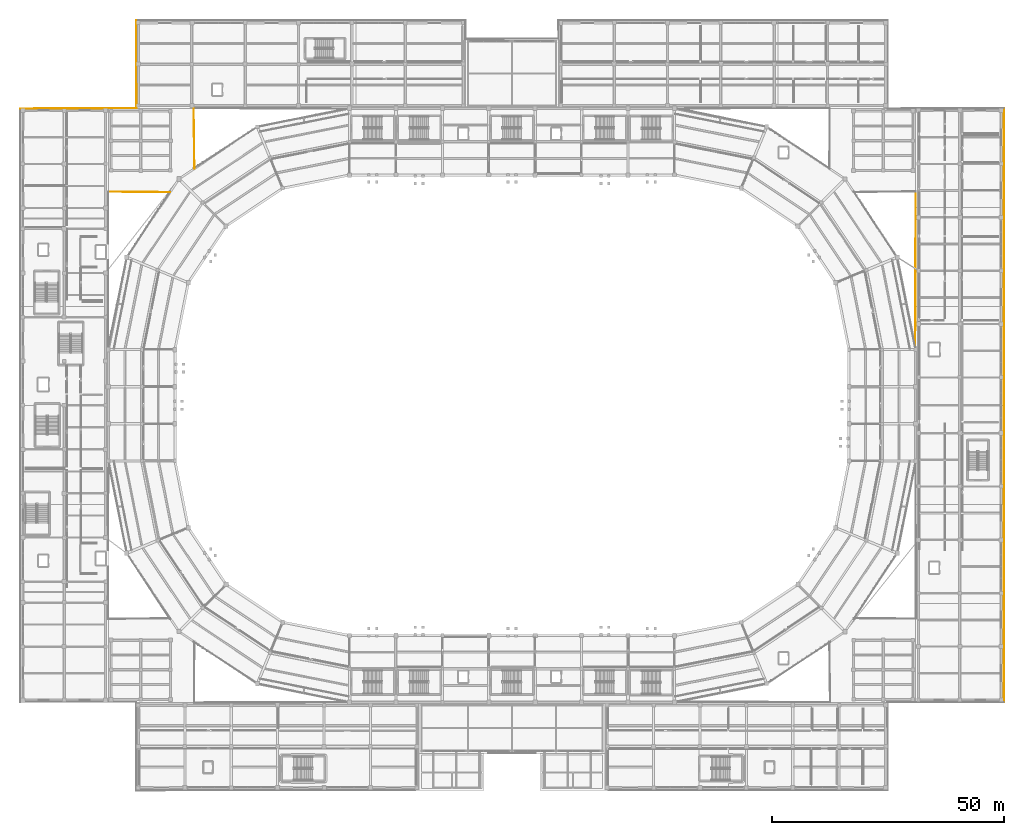
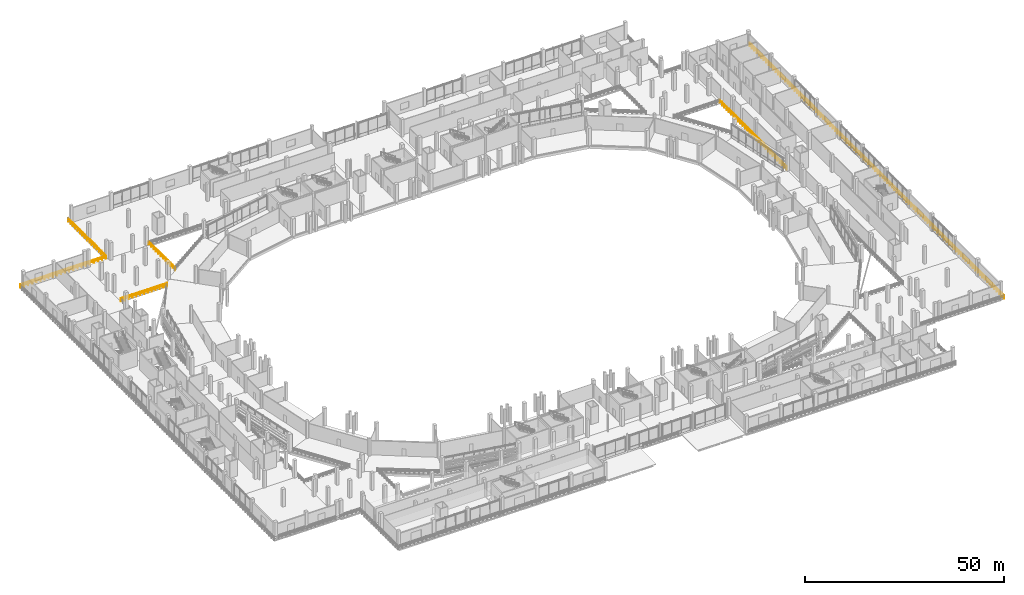
# One storey, part 107 of 114: 6 railings.
"""IFC4 building model written with IfcOpenShell, lengths in metres."""

import ifcopenshell
import ifcopenshell.guid

model = None  # the IFC model being written
_history = None  # IfcOwnerHistory: only IFC2X3 demands one
_inside = {}  # id of a spatial element -> (the spatial element, [elements in it])
_under = {}  # id of a project, library or spatial element -> (it, [spatial elements below it])
_declared = {}  # id of a project -> (the project, [libraries it declares])
_typed = {}  # id of a type object -> (the type object, [elements of that type])
_made_of = {}  # id of a material, layer set ... -> (it, [elements and type objects made of it])


def new_model(schema):
    """Start an empty IFC model of exactly this schema.

    Asked for "IFC4X3", IfcOpenShell would pick the latest addendum, in which some entities
    have other attributes; the version numbers below select the first issue.
    IFC2X3 requires an IfcOwnerHistory on every rooted entity: one is made here for all.
    """
    global model, _history
    if schema == "IFC4X3":
        model = ifcopenshell.file(schema_version=(4, 3, 0, 0))
    else:
        model = ifcopenshell.file(schema=schema)
    _inside.clear()
    _under.clear()
    _declared.clear()
    _typed.clear()
    _made_of.clear()
    _history = None
    if model.schema == "IFC2X3":
        org = make("IfcOrganization", Name="unknown")
        user = make(
            "IfcPersonAndOrganization",
            ThePerson=make("IfcPerson", FamilyName="unknown"),
            TheOrganization=org,
        )
        app = make(
            "IfcApplication",
            ApplicationDeveloper=org,
            Version="unknown",
            ApplicationFullName="unknown",
            ApplicationIdentifier="unknown",
        )
        _history = make(
            "IfcOwnerHistory",
            OwningUser=user,
            OwningApplication=app,
            ChangeAction="ADDED",
            CreationDate=0,
        )
    return model


def make(cls, **values):
    """One entity of the class cls with the attributes given. An attribute that is None is left unset."""
    return model.create_entity(
        cls, **{name: value for name, value in values.items() if value is not None}
    )


def rooted(cls, **values):
    """An entity with a GlobalId (a new one), such as an element, a storey or a relation."""
    return make(cls, GlobalId=ifcopenshell.guid.new(), OwnerHistory=_history, **values)


def si_unit(unit_type, name, prefix=None):
    """IfcSIUnit, for example si_unit("LENGTHUNIT", "METRE", prefix="MILLI")."""
    return make("IfcSIUnit", UnitType=unit_type, Prefix=prefix, Name=name)


def assignment(units):
    """IfcUnitAssignment: the units of a project."""
    return None if units is None else make("IfcUnitAssignment", Units=units)


def point(xyz):
    """IfcCartesianPoint."""
    return None if xyz is None else make("IfcCartesianPoint", Coordinates=xyz)


def direction(xyz):
    """IfcDirection."""
    return None if xyz is None else make("IfcDirection", DirectionRatios=xyz)


def frame(location, z_axis=None, x_axis=None):
    """IfcAxis2Placement3D, a coordinate frame: its origin and axes. An axis left out is left unset."""
    return make(
        "IfcAxis2Placement3D",
        Location=point(location),
        Axis=direction(z_axis),
        RefDirection=direction(x_axis),
    )


def frame_2d(location, x_axis=None):
    """IfcAxis2Placement2D, a coordinate frame in the plane: its origin and x axis."""
    return make(
        "IfcAxis2Placement2D", Location=point(location), RefDirection=direction(x_axis)
    )


def origin():
    """The frame at (0, 0, 0) with its axes left unset."""
    return frame((0.0, 0.0, 0.0))


def origin_2d():
    """The frame at (0, 0) in the plane with its x axis left unset."""
    return frame_2d((0.0, 0.0))


def place(relative_to, where):
    """IfcLocalPlacement: puts the frame where relative to a parent placement (None: the world)."""
    return make(
        "IfcLocalPlacement", PlacementRelTo=relative_to, RelativePlacement=where
    )


def context(
    kind, dimensions, precision=None, world=None, true_north=None, identifier=None
):
    """IfcGeometricRepresentationContext, for example the 3D "Model" context."""
    return make(
        "IfcGeometricRepresentationContext",
        ContextIdentifier=identifier,
        ContextType=kind,
        CoordinateSpaceDimension=dimensions,
        Precision=precision,
        WorldCoordinateSystem=world,
        TrueNorth=true_north,
    )


def subcontext(parent, identifier, kind, view, scale=None):
    """IfcGeometricRepresentationSubContext, for example "Body" below "Model"."""
    return make(
        "IfcGeometricRepresentationSubContext",
        ContextIdentifier=identifier,
        ContextType=kind,
        ParentContext=parent,
        TargetScale=scale,
        TargetView=view,
    )


def project(units=None, contexts=None):
    """IfcProject with its units and contexts."""
    return rooted(
        "IfcProject",
        Name="project",
        RepresentationContexts=contexts,
        UnitsInContext=assignment(units),
    )


def spatial(cls, under=None, at=None, **own):
    """A site, building, storey or space (cls), placed at a placement, below another one or the project."""
    s = rooted(cls, ObjectPlacement=at, **own)
    if under is not None:
        _under.setdefault(under.id(), (under, []))[1].append(s)
    return s


def profile(cls, at=None, kind="AREA", **sizes):
    """A parametric profile (cls). Its sizes go by their IFC names, for example OverallWidth=200.0."""
    return make(cls, ProfileType=kind, Position=at, **sizes)


def circle(**sizes):
    """IfcCircleProfileDef."""
    return profile("IfcCircleProfileDef", **sizes)


def extrude(swept, where, along, depth):
    """IfcExtrudedAreaSolid: the profile swept, set in the frame where, extruded along a direction by depth."""
    return make(
        "IfcExtrudedAreaSolid",
        SweptArea=swept,
        Position=where,
        ExtrudedDirection=direction(along),
        Depth=depth,
    )


def shape(context_of_items, identifier, shape_type, items):
    """IfcShapeRepresentation: the items that make up one representation, for example the "Body"."""
    return make(
        "IfcShapeRepresentation",
        ContextOfItems=context_of_items,
        RepresentationIdentifier=identifier,
        RepresentationType=shape_type,
        Items=items,
    )


def material(Name=None, Category=None):
    """IfcMaterial."""
    return make("IfcMaterial", Name=Name, Category=Category)


def layer(
    of_material, thickness, ventilated=None, Name=None, Category=None, Priority=None
):
    """IfcMaterialLayer: one layer of a wall or slab, of a material (None: an air gap)."""
    return make(
        "IfcMaterialLayer",
        Material=of_material,
        LayerThickness=thickness,
        IsVentilated=ventilated,
        Name=Name,
        Category=Category,
        Priority=Priority,
    )


def layer_set(layers, Name=None):
    """IfcMaterialLayerSet."""
    return make("IfcMaterialLayerSet", MaterialLayers=layers, LayerSetName=Name)


def made_of(thing, what):
    """Note that an element or type object is made of a material, layer set ...; save() writes the relation."""
    if what is not None:
        _made_of.setdefault(what.id(), (what, []))[1].append(thing)
    return thing


def type_object(cls, material=None, **own):
    """A type object (cls), such as IfcWallType, which elements share."""
    return made_of(rooted(cls, **own), material)


def element(
    cls,
    number,
    at=None,
    inside=None,
    cuts=None,
    type_object=None,
    material=None,
    context=None,
    identifier="Body",
    shape_type=None,
    held_by="IfcProductDefinitionShape",
    body=None,
    shapes=None,
    **own,
):
    """One element of the class cls, such as IfcWall. Its Tag is "e" and its number.

    at: its placement. inside: the storey or other place that contains it. cuts: it is an
    opening in that element (IfcRelVoidsElement). A single representation is given by context,
    identifier, shape_type and body (its items); several are given by shapes. held_by: the class
    of the entity that holds the representations. save() writes the other relations.
    """
    e = rooted(cls, Tag="e%d" % number, ObjectPlacement=at, **own)
    if body is not None:
        shapes = [shape(context, identifier, shape_type, body)]
    if shapes is not None:
        e.Representation = make(held_by, Representations=shapes)
    if inside is not None:
        _inside.setdefault(inside.id(), (inside, []))[1].append(e)
    if cuts is not None:
        rooted(
            "IfcRelVoidsElement", RelatingBuildingElement=cuts, RelatedOpeningElement=e
        )
    if type_object is not None:
        _typed.setdefault(type_object.id(), (type_object, []))[1].append(e)
    return made_of(e, material)


def aggregate(whole, parts):
    """IfcRelAggregates: a whole, such as a stair, and the parts it consists of."""
    return rooted("IfcRelAggregates", RelatingObject=whole, RelatedObjects=parts)


def save(model, path):
    """Write the relations noted so far, then the file.

    IfcRelAggregates (storeys below a building ...), IfcRelContainedInSpatialStructure (elements
    in a storey), IfcRelDefinesByType, IfcRelAssociatesMaterial and IfcRelDeclares: one each for
    every whole, place, type object, material and project.
    """
    for whole, parts in _under.values():
        aggregate(whole, parts)
    for where, things in _inside.values():
        rooted(
            "IfcRelContainedInSpatialStructure",
            RelatedElements=things,
            RelatingStructure=where,
        )
    for kind, things in _typed.values():
        rooted("IfcRelDefinesByType", RelatedObjects=things, RelatingType=kind)
    for what, things in _made_of.values():
        rooted("IfcRelAssociatesMaterial", RelatedObjects=things, RelatingMaterial=what)
    for by, libraries in _declared.values():
        rooted("IfcRelDeclares", RelatingContext=by, RelatedDefinitions=libraries)
    model.write(path)


model = new_model("IFC4")

# Units and contexts
model_context = context("Model", 3, precision=1e-05, world=origin(), true_north=direction((0.0, 1.0)))
body_context = subcontext(model_context, "Body", "Model", "MODEL_VIEW")
ifc_project = project(units=[si_unit("LENGTHUNIT", "METRE"), si_unit("AREAUNIT", "SQUARE_METRE"), si_unit("VOLUMEUNIT", "CUBIC_METRE"), si_unit("PLANEANGLEUNIT", "RADIAN"), si_unit("MASSUNIT", "GRAM", prefix="KILO")], contexts=[model_context])

# Site, building, storey
site_placement = place(None, origin())
site = spatial("IfcSite", under=ifc_project, at=site_placement, CompositionType="ELEMENT")
building_placement = place(site_placement, origin())
building = spatial("IfcBuilding", under=site, at=building_placement, Name="Candeia Ridge Stadium", CompositionType="ELEMENT")
storey_placement = place(building_placement, frame((0.0, 0.0, 5.39990234375)))
storey = spatial("IfcBuildingStorey", under=building, at=storey_placement, Name="L01", CompositionType="ELEMENT", Elevation=5.39990234375)

# Railings
ifc_material = material(Name="Galvanized Powder-Coated Steel", Category="steel")
ifc_layer = layer(ifc_material, 0.074951171875, Name="Galvanized Powder-Coated Steel", Category="steel")
ifc_layer_set = layer_set([ifc_layer], Name="Galvanized Powder-Coated Steel")
railing_type = type_object("IfcRailingType", Name="Spectator Bowl Front Guardrail 1120", PredefinedType="GUARDRAIL", material=ifc_layer_set)
railing_1_placement = place(storey_placement, frame((0.0, 146.919921875, 0.0)))
element("IfcRailing", 1, at=railing_1_placement, inside=storey, type_object=railing_type, Name="Deck edge safety guardrail GR-DE-L01-0002", PredefinedType="GUARDRAIL", context=body_context, shape_type="SweptSolid", body=[
    extrude(circle(Radius=0.02392578125, at=origin_2d()), frame((0.0, 0.0, 1.09619140625), z_axis=(0.999994902741, 0.003192881474, 0.0), x_axis=(-0.003192881474, 0.999994902741, 0.0)), (0.0, 0.0, 1.0), 25.080322265625),
    extrude(circle(Radius=0.02392578125, at=origin_2d()), frame((0.0, 0.0, 0.56005859375), z_axis=(0.999994902741, 0.003192881474, 0.0), x_axis=(-0.003192881474, 0.999994902741, 0.0)), (0.0, 0.0, 1.0), 25.080322265625),
    extrude(circle(Radius=0.02099609375, at=origin_2d()), origin(), (0.0, 0.0, 1.0), 1.072021484375),
    extrude(circle(Radius=0.02099609375, at=origin_2d()), frame((1.1943359375, 0.00390625, 0.0)), (0.0, 0.0, 1.0), 1.072021484375),
    extrude(circle(Radius=0.02099609375, at=origin_2d()), frame((2.388671875, 0.007568359375, 0.0)), (0.0, 0.0, 1.0), 1.072021484375),
    extrude(circle(Radius=0.02099609375, at=origin_2d()), frame((3.582763671875, 0.011474609375, 0.0)), (0.0, 0.0, 1.0), 1.072021484375),
    extrude(circle(Radius=0.02099609375, at=origin_2d()), frame((4.777099609375, 0.01513671875, 0.0)), (0.0, 0.0, 1.0), 1.072021484375),
    extrude(circle(Radius=0.02099609375, at=origin_2d()), frame((5.971435546875, 0.01904296875, 0.0)), (0.0, 0.0, 1.0), 1.072021484375),
    extrude(circle(Radius=0.02099609375, at=origin_2d()), frame((7.165771484375, 0.02294921875, 0.0)), (0.0, 0.0, 1.0), 1.072021484375),
    extrude(circle(Radius=0.02099609375, at=origin_2d()), frame((8.360107421875, 0.026611328125, 0.0)), (0.0, 0.0, 1.0), 1.072021484375),
    extrude(circle(Radius=0.02099609375, at=origin_2d()), frame((9.55419921875, 0.030517578125, 0.0)), (0.0, 0.0, 1.0), 1.072021484375),
    extrude(circle(Radius=0.02099609375, at=origin_2d()), frame((10.74853515625, 0.034423828125, 0.0)), (0.0, 0.0, 1.0), 1.072021484375),
    extrude(circle(Radius=0.02099609375, at=origin_2d()), frame((11.94287109375, 0.0380859375, 0.0)), (0.0, 0.0, 1.0), 1.072021484375),
    extrude(circle(Radius=0.02099609375, at=origin_2d()), frame((13.13720703125, 0.0419921875, 0.0)), (0.0, 0.0, 1.0), 1.072021484375),
    extrude(circle(Radius=0.02099609375, at=origin_2d()), frame((14.33154296875, 0.045654296875, 0.0)), (0.0, 0.0, 1.0), 1.072021484375),
    extrude(circle(Radius=0.02099609375, at=origin_2d()), frame((15.52587890625, 0.049560546875, 0.0)), (0.0, 0.0, 1.0), 1.072021484375),
    extrude(circle(Radius=0.02099609375, at=origin_2d()), frame((16.719970703125, 0.053466796875, 0.0)), (0.0, 0.0, 1.0), 1.072021484375),
    extrude(circle(Radius=0.02099609375, at=origin_2d()), frame((17.914306640625, 0.05712890625, 0.0)), (0.0, 0.0, 1.0), 1.072021484375),
    extrude(circle(Radius=0.02099609375, at=origin_2d()), frame((19.108642578125, 0.06103515625, 0.0)), (0.0, 0.0, 1.0), 1.072021484375),
    extrude(circle(Radius=0.02099609375, at=origin_2d()), frame((20.302978515625, 0.06494140625, 0.0)), (0.0, 0.0, 1.0), 1.072021484375),
    extrude(circle(Radius=0.02099609375, at=origin_2d()), frame((21.497314453125, 0.068603515625, 0.0)), (0.0, 0.0, 1.0), 1.072021484375),
    extrude(circle(Radius=0.02099609375, at=origin_2d()), frame((22.69140625, 0.072509765625, 0.0)), (0.0, 0.0, 1.0), 1.072021484375),
    extrude(circle(Radius=0.02099609375, at=origin_2d()), frame((23.8857421875, 0.076171875, 0.0)), (0.0, 0.0, 1.0), 1.072021484375),
    extrude(circle(Radius=0.02099609375, at=origin_2d()), frame((25.080078125, 0.080078125, 0.0)), (0.0, 0.0, 1.0), 1.072021484375),
])
railing_2_placement = place(storey_placement, frame((25.080078125, 147.0, 0.0)))
element("IfcRailing", 2, at=railing_2_placement, inside=storey, type_object=railing_type, Name="Deck edge safety guardrail GR-DE-L01-0003", PredefinedType="GUARDRAIL", context=body_context, shape_type="SweptSolid", body=[
    extrude(circle(Radius=0.02392578125, at=origin_2d()), frame((0.0, 0.0, 1.09619140625), z_axis=(-0.004214600726, 0.999991118531, 0.0), x_axis=(-0.999991118531, -0.004214600726, 0.0)), (0.0, 0.0, 1.0), 19.000244140625),
    extrude(circle(Radius=0.02392578125, at=origin_2d()), frame((0.0, 0.0, 0.56005859375), z_axis=(-0.004214600726, 0.999991118531, 0.0), x_axis=(-0.999991118531, -0.004214600726, 0.0)), (0.0, 0.0, 1.0), 19.000244140625),
    extrude(circle(Radius=0.02099609375, at=origin_2d()), origin(), (0.0, 0.0, 1.0), 1.072021484375),
    extrude(circle(Radius=0.02099609375, at=origin_2d()), frame((-0.0048828125, 1.1875, 0.0)), (0.0, 0.0, 1.0), 1.072021484375),
    extrude(circle(Radius=0.02099609375, at=origin_2d()), frame((-0.010009765625, 2.375, 0.0)), (0.0, 0.0, 1.0), 1.072021484375),
    extrude(circle(Radius=0.02099609375, at=origin_2d()), frame((-0.01513671875, 3.5625, 0.0)), (0.0, 0.0, 1.0), 1.072021484375),
    extrude(circle(Radius=0.02099609375, at=origin_2d()), frame((-0.02001953125, 4.75, 0.0)), (0.0, 0.0, 1.0), 1.072021484375),
    extrude(circle(Radius=0.02099609375, at=origin_2d()), frame((-0.02490234375, 5.9375, 0.0)), (0.0, 0.0, 1.0), 1.072021484375),
    extrude(circle(Radius=0.02099609375, at=origin_2d()), frame((-0.030029296875, 7.125, 0.0)), (0.0, 0.0, 1.0), 1.072021484375),
    extrude(circle(Radius=0.02099609375, at=origin_2d()), frame((-0.03515625, 8.3125, 0.0)), (0.0, 0.0, 1.0), 1.072021484375),
    extrude(circle(Radius=0.02099609375, at=origin_2d()), frame((-0.0400390625, 9.5, 0.0)), (0.0, 0.0, 1.0), 1.072021484375),
    extrude(circle(Radius=0.02099609375, at=origin_2d()), frame((-0.044921875, 10.6875, 0.0)), (0.0, 0.0, 1.0), 1.072021484375),
    extrude(circle(Radius=0.02099609375, at=origin_2d()), frame((-0.050048828125, 11.875, 0.0)), (0.0, 0.0, 1.0), 1.072021484375),
    extrude(circle(Radius=0.02099609375, at=origin_2d()), frame((-0.05517578125, 13.0625, 0.0)), (0.0, 0.0, 1.0), 1.072021484375),
    extrude(circle(Radius=0.02099609375, at=origin_2d()), frame((-0.06005859375, 14.25, 0.0)), (0.0, 0.0, 1.0), 1.072021484375),
    extrude(circle(Radius=0.02099609375, at=origin_2d()), frame((-0.06494140625, 15.4375, 0.0)), (0.0, 0.0, 1.0), 1.072021484375),
    extrude(circle(Radius=0.02099609375, at=origin_2d()), frame((-0.070068359375, 16.625, 0.0)), (0.0, 0.0, 1.0), 1.072021484375),
    extrude(circle(Radius=0.02099609375, at=origin_2d()), frame((-0.0751953125, 17.8125, 0.0)), (0.0, 0.0, 1.0), 1.072021484375),
    extrude(circle(Radius=0.02099609375, at=origin_2d()), frame((-0.080078125, 19.0, 0.0)), (0.0, 0.0, 1.0), 1.072021484375),
])
railing_3_placement = place(storey_placement, frame((212.0, 147.0, 0.0)))
element("IfcRailing", 3, at=railing_3_placement, inside=storey, type_object=railing_type, Name="Deck edge safety guardrail GR-DE-L01-0011", PredefinedType="GUARDRAIL", context=body_context, shape_type="SweptSolid", body=[
    extrude(circle(Radius=0.02392578125, at=origin_2d()), frame((0.0, 0.0, 1.09619140625), z_axis=(0.0, -1.0, 0.0), x_axis=(1.0, 0.0, 0.0)), (0.0, 0.0, 1.0), 128.0),
    extrude(circle(Radius=0.02392578125, at=origin_2d()), frame((0.0, 0.0, 0.56005859375), z_axis=(0.0, -1.0, 0.0), x_axis=(1.0, 0.0, 0.0)), (0.0, 0.0, 1.0), 128.0),
    extrude(circle(Radius=0.02099609375, at=origin_2d()), origin(), (0.0, 0.0, 1.0), 1.072021484375),
    extrude(circle(Radius=0.02099609375, at=origin_2d()), frame((0.0, -1.1962890625, 0.0)), (0.0, 0.0, 1.0), 1.072021484375),
    extrude(circle(Radius=0.02099609375, at=origin_2d()), frame((0.0, -2.392578125, 0.0)), (0.0, 0.0, 1.0), 1.072021484375),
    extrude(circle(Radius=0.02099609375, at=origin_2d()), frame((0.0, -3.5888671875, 0.0)), (0.0, 0.0, 1.0), 1.072021484375),
    extrude(circle(Radius=0.02099609375, at=origin_2d()), frame((0.0, -4.78515625, 0.0)), (0.0, 0.0, 1.0), 1.072021484375),
    extrude(circle(Radius=0.02099609375, at=origin_2d()), frame((0.0, -5.981201171875, 0.0)), (0.0, 0.0, 1.0), 1.072021484375),
    extrude(circle(Radius=0.02099609375, at=origin_2d()), frame((0.0, -7.177490234375, 0.0)), (0.0, 0.0, 1.0), 1.072021484375),
    extrude(circle(Radius=0.02099609375, at=origin_2d()), frame((0.0, -8.373779296875, 0.0)), (0.0, 0.0, 1.0), 1.072021484375),
    extrude(circle(Radius=0.02099609375, at=origin_2d()), frame((0.0, -9.570068359375, 0.0)), (0.0, 0.0, 1.0), 1.072021484375),
    extrude(circle(Radius=0.02099609375, at=origin_2d()), frame((0.0, -10.766357421875, 0.0)), (0.0, 0.0, 1.0), 1.072021484375),
    extrude(circle(Radius=0.02099609375, at=origin_2d()), frame((0.0, -11.962646484375, 0.0)), (0.0, 0.0, 1.0), 1.072021484375),
    extrude(circle(Radius=0.02099609375, at=origin_2d()), frame((0.0, -13.158935546875, 0.0)), (0.0, 0.0, 1.0), 1.072021484375),
    extrude(circle(Radius=0.02099609375, at=origin_2d()), frame((0.0, -14.355224609375, 0.0)), (0.0, 0.0, 1.0), 1.072021484375),
    extrude(circle(Radius=0.02099609375, at=origin_2d()), frame((0.0, -15.551513671875, 0.0)), (0.0, 0.0, 1.0), 1.072021484375),
    extrude(circle(Radius=0.02099609375, at=origin_2d()), frame((0.0, -16.74755859375, 0.0)), (0.0, 0.0, 1.0), 1.072021484375),
    extrude(circle(Radius=0.02099609375, at=origin_2d()), frame((0.0, -17.94384765625, 0.0)), (0.0, 0.0, 1.0), 1.072021484375),
    extrude(circle(Radius=0.02099609375, at=origin_2d()), frame((0.0, -19.14013671875, 0.0)), (0.0, 0.0, 1.0), 1.072021484375),
    extrude(circle(Radius=0.02099609375, at=origin_2d()), frame((0.0, -20.33642578125, 0.0)), (0.0, 0.0, 1.0), 1.072021484375),
    extrude(circle(Radius=0.02099609375, at=origin_2d()), frame((0.0, -21.53271484375, 0.0)), (0.0, 0.0, 1.0), 1.072021484375),
    extrude(circle(Radius=0.02099609375, at=origin_2d()), frame((0.0, -22.72900390625, 0.0)), (0.0, 0.0, 1.0), 1.072021484375),
    extrude(circle(Radius=0.02099609375, at=origin_2d()), frame((0.0, -23.92529296875, 0.0)), (0.0, 0.0, 1.0), 1.072021484375),
    extrude(circle(Radius=0.02099609375, at=origin_2d()), frame((0.0, -25.12158203125, 0.0)), (0.0, 0.0, 1.0), 1.072021484375),
    extrude(circle(Radius=0.02099609375, at=origin_2d()), frame((0.0, -26.31787109375, 0.0)), (0.0, 0.0, 1.0), 1.072021484375),
    extrude(circle(Radius=0.02099609375, at=origin_2d()), frame((0.0, -27.513916015625, 0.0)), (0.0, 0.0, 1.0), 1.072021484375),
    extrude(circle(Radius=0.02099609375, at=origin_2d()), frame((0.0, -28.710205078125, 0.0)), (0.0, 0.0, 1.0), 1.072021484375),
    extrude(circle(Radius=0.02099609375, at=origin_2d()), frame((0.0, -29.906494140625, 0.0)), (0.0, 0.0, 1.0), 1.072021484375),
    extrude(circle(Radius=0.02099609375, at=origin_2d()), frame((0.0, -31.102783203125, 0.0)), (0.0, 0.0, 1.0), 1.072021484375),
    extrude(circle(Radius=0.02099609375, at=origin_2d()), frame((0.0, -32.299072265625, 0.0)), (0.0, 0.0, 1.0), 1.072021484375),
    extrude(circle(Radius=0.02099609375, at=origin_2d()), frame((0.0, -33.495361328125, 0.0)), (0.0, 0.0, 1.0), 1.072021484375),
    extrude(circle(Radius=0.02099609375, at=origin_2d()), frame((0.0, -34.691650390625, 0.0)), (0.0, 0.0, 1.0), 1.072021484375),
    extrude(circle(Radius=0.02099609375, at=origin_2d()), frame((0.0, -35.887939453125, 0.0)), (0.0, 0.0, 1.0), 1.072021484375),
    extrude(circle(Radius=0.02099609375, at=origin_2d()), frame((0.0, -37.084228515625, 0.0)), (0.0, 0.0, 1.0), 1.072021484375),
    extrude(circle(Radius=0.02099609375, at=origin_2d()), frame((0.0, -38.2802734375, 0.0)), (0.0, 0.0, 1.0), 1.072021484375),
    extrude(circle(Radius=0.02099609375, at=origin_2d()), frame((0.0, -39.4765625, 0.0)), (0.0, 0.0, 1.0), 1.072021484375),
    extrude(circle(Radius=0.02099609375, at=origin_2d()), frame((0.0, -40.6728515625, 0.0)), (0.0, 0.0, 1.0), 1.072021484375),
    extrude(circle(Radius=0.02099609375, at=origin_2d()), frame((0.0, -41.869140625, 0.0)), (0.0, 0.0, 1.0), 1.072021484375),
    extrude(circle(Radius=0.02099609375, at=origin_2d()), frame((0.0, -43.0654296875, 0.0)), (0.0, 0.0, 1.0), 1.072021484375),
    extrude(circle(Radius=0.02099609375, at=origin_2d()), frame((0.0, -44.26171875, 0.0)), (0.0, 0.0, 1.0), 1.072021484375),
    extrude(circle(Radius=0.02099609375, at=origin_2d()), frame((0.0, -45.4580078125, 0.0)), (0.0, 0.0, 1.0), 1.072021484375),
    extrude(circle(Radius=0.02099609375, at=origin_2d()), frame((0.0, -46.654296875, 0.0)), (0.0, 0.0, 1.0), 1.072021484375),
    extrude(circle(Radius=0.02099609375, at=origin_2d()), frame((0.0, -47.8505859375, 0.0)), (0.0, 0.0, 1.0), 1.072021484375),
    extrude(circle(Radius=0.02099609375, at=origin_2d()), frame((0.0, -49.046630859375, 0.0)), (0.0, 0.0, 1.0), 1.072021484375),
    extrude(circle(Radius=0.02099609375, at=origin_2d()), frame((0.0, -50.242919921875, 0.0)), (0.0, 0.0, 1.0), 1.072021484375),
    extrude(circle(Radius=0.02099609375, at=origin_2d()), frame((0.0, -51.439208984375, 0.0)), (0.0, 0.0, 1.0), 1.072021484375),
    extrude(circle(Radius=0.02099609375, at=origin_2d()), frame((0.0, -52.635498046875, 0.0)), (0.0, 0.0, 1.0), 1.072021484375),
    extrude(circle(Radius=0.02099609375, at=origin_2d()), frame((0.0, -53.831787109375, 0.0)), (0.0, 0.0, 1.0), 1.072021484375),
    extrude(circle(Radius=0.02099609375, at=origin_2d()), frame((0.0, -55.028076171875, 0.0)), (0.0, 0.0, 1.0), 1.072021484375),
    extrude(circle(Radius=0.02099609375, at=origin_2d()), frame((0.0, -56.224365234375, 0.0)), (0.0, 0.0, 1.0), 1.072021484375),
    extrude(circle(Radius=0.02099609375, at=origin_2d()), frame((0.0, -57.420654296875, 0.0)), (0.0, 0.0, 1.0), 1.072021484375),
    extrude(circle(Radius=0.02099609375, at=origin_2d()), frame((0.0, -58.616943359375, 0.0)), (0.0, 0.0, 1.0), 1.072021484375),
    extrude(circle(Radius=0.02099609375, at=origin_2d()), frame((0.0, -59.81298828125, 0.0)), (0.0, 0.0, 1.0), 1.072021484375),
    extrude(circle(Radius=0.02099609375, at=origin_2d()), frame((0.0, -61.00927734375, 0.0)), (0.0, 0.0, 1.0), 1.072021484375),
    extrude(circle(Radius=0.02099609375, at=origin_2d()), frame((0.0, -62.20556640625, 0.0)), (0.0, 0.0, 1.0), 1.072021484375),
    extrude(circle(Radius=0.02099609375, at=origin_2d()), frame((0.0, -63.40185546875, 0.0)), (0.0, 0.0, 1.0), 1.072021484375),
    extrude(circle(Radius=0.02099609375, at=origin_2d()), frame((0.0, -64.59814453125, 0.0)), (0.0, 0.0, 1.0), 1.072021484375),
    extrude(circle(Radius=0.02099609375, at=origin_2d()), frame((0.0, -65.79443359375, 0.0)), (0.0, 0.0, 1.0), 1.072021484375),
    extrude(circle(Radius=0.02099609375, at=origin_2d()), frame((0.0, -66.99072265625, 0.0)), (0.0, 0.0, 1.0), 1.072021484375),
    extrude(circle(Radius=0.02099609375, at=origin_2d()), frame((0.0, -68.18701171875, 0.0)), (0.0, 0.0, 1.0), 1.072021484375),
    extrude(circle(Radius=0.02099609375, at=origin_2d()), frame((0.0, -69.383056640625, 0.0)), (0.0, 0.0, 1.0), 1.072021484375),
    extrude(circle(Radius=0.02099609375, at=origin_2d()), frame((0.0, -70.579345703125, 0.0)), (0.0, 0.0, 1.0), 1.072021484375),
    extrude(circle(Radius=0.02099609375, at=origin_2d()), frame((0.0, -71.775634765625, 0.0)), (0.0, 0.0, 1.0), 1.072021484375),
    extrude(circle(Radius=0.02099609375, at=origin_2d()), frame((0.0, -72.971923828125, 0.0)), (0.0, 0.0, 1.0), 1.072021484375),
    extrude(circle(Radius=0.02099609375, at=origin_2d()), frame((0.0, -74.168212890625, 0.0)), (0.0, 0.0, 1.0), 1.072021484375),
    extrude(circle(Radius=0.02099609375, at=origin_2d()), frame((0.0, -75.364501953125, 0.0)), (0.0, 0.0, 1.0), 1.072021484375),
    extrude(circle(Radius=0.02099609375, at=origin_2d()), frame((0.0, -76.560791015625, 0.0)), (0.0, 0.0, 1.0), 1.072021484375),
    extrude(circle(Radius=0.02099609375, at=origin_2d()), frame((0.0, -77.757080078125, 0.0)), (0.0, 0.0, 1.0), 1.072021484375),
    extrude(circle(Radius=0.02099609375, at=origin_2d()), frame((0.0, -78.953369140625, 0.0)), (0.0, 0.0, 1.0), 1.072021484375),
    extrude(circle(Radius=0.02099609375, at=origin_2d()), frame((0.0, -80.1494140625, 0.0)), (0.0, 0.0, 1.0), 1.072021484375),
    extrude(circle(Radius=0.02099609375, at=origin_2d()), frame((0.0, -81.345703125, 0.0)), (0.0, 0.0, 1.0), 1.072021484375),
    extrude(circle(Radius=0.02099609375, at=origin_2d()), frame((0.0, -82.5419921875, 0.0)), (0.0, 0.0, 1.0), 1.072021484375),
    extrude(circle(Radius=0.02099609375, at=origin_2d()), frame((0.0, -83.73828125, 0.0)), (0.0, 0.0, 1.0), 1.072021484375),
    extrude(circle(Radius=0.02099609375, at=origin_2d()), frame((0.0, -84.9345703125, 0.0)), (0.0, 0.0, 1.0), 1.072021484375),
    extrude(circle(Radius=0.02099609375, at=origin_2d()), frame((0.0, -86.130859375, 0.0)), (0.0, 0.0, 1.0), 1.072021484375),
    extrude(circle(Radius=0.02099609375, at=origin_2d()), frame((0.0, -87.3271484375, 0.0)), (0.0, 0.0, 1.0), 1.072021484375),
    extrude(circle(Radius=0.02099609375, at=origin_2d()), frame((0.0, -88.5234375, 0.0)), (0.0, 0.0, 1.0), 1.072021484375),
    extrude(circle(Radius=0.02099609375, at=origin_2d()), frame((0.0, -89.7197265625, 0.0)), (0.0, 0.0, 1.0), 1.072021484375),
    extrude(circle(Radius=0.02099609375, at=origin_2d()), frame((0.0, -90.915771484375, 0.0)), (0.0, 0.0, 1.0), 1.072021484375),
    extrude(circle(Radius=0.02099609375, at=origin_2d()), frame((0.0, -92.112060546875, 0.0)), (0.0, 0.0, 1.0), 1.072021484375),
    extrude(circle(Radius=0.02099609375, at=origin_2d()), frame((0.0, -93.308349609375, 0.0)), (0.0, 0.0, 1.0), 1.072021484375),
    extrude(circle(Radius=0.02099609375, at=origin_2d()), frame((0.0, -94.504638671875, 0.0)), (0.0, 0.0, 1.0), 1.072021484375),
    extrude(circle(Radius=0.02099609375, at=origin_2d()), frame((0.0, -95.700927734375, 0.0)), (0.0, 0.0, 1.0), 1.072021484375),
    extrude(circle(Radius=0.02099609375, at=origin_2d()), frame((0.0, -96.897216796875, 0.0)), (0.0, 0.0, 1.0), 1.072021484375),
    extrude(circle(Radius=0.02099609375, at=origin_2d()), frame((0.0, -98.093505859375, 0.0)), (0.0, 0.0, 1.0), 1.072021484375),
    extrude(circle(Radius=0.02099609375, at=origin_2d()), frame((0.0, -99.289794921875, 0.0)), (0.0, 0.0, 1.0), 1.072021484375),
    extrude(circle(Radius=0.02099609375, at=origin_2d()), frame((0.0, -100.486083984375, 0.0)), (0.0, 0.0, 1.0), 1.072021484375),
    extrude(circle(Radius=0.02099609375, at=origin_2d()), frame((0.0, -101.68212890625, 0.0)), (0.0, 0.0, 1.0), 1.072021484375),
    extrude(circle(Radius=0.02099609375, at=origin_2d()), frame((0.0, -102.87841796875, 0.0)), (0.0, 0.0, 1.0), 1.072021484375),
    extrude(circle(Radius=0.02099609375, at=origin_2d()), frame((0.0, -104.07470703125, 0.0)), (0.0, 0.0, 1.0), 1.072021484375),
    extrude(circle(Radius=0.02099609375, at=origin_2d()), frame((0.0, -105.27099609375, 0.0)), (0.0, 0.0, 1.0), 1.072021484375),
    extrude(circle(Radius=0.02099609375, at=origin_2d()), frame((0.0, -106.46728515625, 0.0)), (0.0, 0.0, 1.0), 1.072021484375),
    extrude(circle(Radius=0.02099609375, at=origin_2d()), frame((0.0, -107.66357421875, 0.0)), (0.0, 0.0, 1.0), 1.072021484375),
    extrude(circle(Radius=0.02099609375, at=origin_2d()), frame((0.0, -108.85986328125, 0.0)), (0.0, 0.0, 1.0), 1.072021484375),
    extrude(circle(Radius=0.02099609375, at=origin_2d()), frame((0.0, -110.05615234375, 0.0)), (0.0, 0.0, 1.0), 1.072021484375),
    extrude(circle(Radius=0.02099609375, at=origin_2d()), frame((0.0, -111.25244140625, 0.0)), (0.0, 0.0, 1.0), 1.072021484375),
    extrude(circle(Radius=0.02099609375, at=origin_2d()), frame((0.0, -112.448486328125, 0.0)), (0.0, 0.0, 1.0), 1.072021484375),
    extrude(circle(Radius=0.02099609375, at=origin_2d()), frame((0.0, -113.644775390625, 0.0)), (0.0, 0.0, 1.0), 1.072021484375),
    extrude(circle(Radius=0.02099609375, at=origin_2d()), frame((0.0, -114.841064453125, 0.0)), (0.0, 0.0, 1.0), 1.072021484375),
    extrude(circle(Radius=0.02099609375, at=origin_2d()), frame((0.0, -116.037353515625, 0.0)), (0.0, 0.0, 1.0), 1.072021484375),
    extrude(circle(Radius=0.02099609375, at=origin_2d()), frame((0.0, -117.233642578125, 0.0)), (0.0, 0.0, 1.0), 1.072021484375),
    extrude(circle(Radius=0.02099609375, at=origin_2d()), frame((0.0, -118.429931640625, 0.0)), (0.0, 0.0, 1.0), 1.072021484375),
    extrude(circle(Radius=0.02099609375, at=origin_2d()), frame((0.0, -119.626220703125, 0.0)), (0.0, 0.0, 1.0), 1.072021484375),
    extrude(circle(Radius=0.02099609375, at=origin_2d()), frame((0.0, -120.822509765625, 0.0)), (0.0, 0.0, 1.0), 1.072021484375),
    extrude(circle(Radius=0.02099609375, at=origin_2d()), frame((0.0, -122.018798828125, 0.0)), (0.0, 0.0, 1.0), 1.072021484375),
    extrude(circle(Radius=0.02099609375, at=origin_2d()), frame((0.0, -123.21484375, 0.0)), (0.0, 0.0, 1.0), 1.072021484375),
    extrude(circle(Radius=0.02099609375, at=origin_2d()), frame((0.0, -124.4111328125, 0.0)), (0.0, 0.0, 1.0), 1.072021484375),
    extrude(circle(Radius=0.02099609375, at=origin_2d()), frame((0.0, -125.607421875, 0.0)), (0.0, 0.0, 1.0), 1.072021484375),
    extrude(circle(Radius=0.02099609375, at=origin_2d()), frame((0.0, -126.8037109375, 0.0)), (0.0, 0.0, 1.0), 1.072021484375),
    extrude(circle(Radius=0.02099609375, at=origin_2d()), frame((0.0, -128.0, 0.0)), (0.0, 0.0, 1.0), 1.072021484375),
])
railing_4_placement = place(storey_placement, frame((192.919921875, 95.313720703125, 0.0)))
element("IfcRailing", 4, at=railing_4_placement, inside=storey, type_object=railing_type, Name="Deck edge safety guardrail GR-DE-L01-0021", PredefinedType="GUARDRAIL", context=body_context, shape_type="SweptSolid", body=[
    extrude(circle(Radius=0.02392578125, at=origin_2d()), frame((0.0, 0.0, 1.09619140625), z_axis=(0.002371529117, 0.999997187921, 0.0), x_axis=(-0.999997187921, 0.002371529117, 0.0)), (0.0, 0.0, 1.0), 33.766357421875),
    extrude(circle(Radius=0.02392578125, at=origin_2d()), frame((0.0, 0.0, 0.56005859375), z_axis=(0.002371529117, 0.999997187921, 0.0), x_axis=(-0.999997187921, 0.002371529117, 0.0)), (0.0, 0.0, 1.0), 33.766357421875),
    extrude(circle(Radius=0.02099609375, at=origin_2d()), origin(), (0.0, 0.0, 1.0), 1.072021484375),
    extrude(circle(Radius=0.02099609375, at=origin_2d()), frame((0.002685546875, 1.164306640625, 0.0)), (0.0, 0.0, 1.0), 1.072021484375),
    extrude(circle(Radius=0.02099609375, at=origin_2d()), frame((0.005615234375, 2.32861328125, 0.0)), (0.0, 0.0, 1.0), 1.072021484375),
    extrude(circle(Radius=0.02099609375, at=origin_2d()), frame((0.00830078125, 3.4931640625, 0.0)), (0.0, 0.0, 1.0), 1.072021484375),
    extrude(circle(Radius=0.02099609375, at=origin_2d()), frame((0.010986328125, 4.657470703125, 0.0)), (0.0, 0.0, 1.0), 1.072021484375),
    extrude(circle(Radius=0.02099609375, at=origin_2d()), frame((0.013916015625, 5.82177734375, 0.0)), (0.0, 0.0, 1.0), 1.072021484375),
    extrude(circle(Radius=0.02099609375, at=origin_2d()), frame((0.0166015625, 6.986083984375, 0.0)), (0.0, 0.0, 1.0), 1.072021484375),
    extrude(circle(Radius=0.02099609375, at=origin_2d()), frame((0.019287109375, 8.150390625, 0.0)), (0.0, 0.0, 1.0), 1.072021484375),
    extrude(circle(Radius=0.02099609375, at=origin_2d()), frame((0.02197265625, 9.31494140625, 0.0)), (0.0, 0.0, 1.0), 1.072021484375),
    extrude(circle(Radius=0.02099609375, at=origin_2d()), frame((0.02490234375, 10.479248046875, 0.0)), (0.0, 0.0, 1.0), 1.072021484375),
    extrude(circle(Radius=0.02099609375, at=origin_2d()), frame((0.027587890625, 11.6435546875, 0.0)), (0.0, 0.0, 1.0), 1.072021484375),
    extrude(circle(Radius=0.02099609375, at=origin_2d()), frame((0.0302734375, 12.807861328125, 0.0)), (0.0, 0.0, 1.0), 1.072021484375),
    extrude(circle(Radius=0.02099609375, at=origin_2d()), frame((0.033203125, 13.97216796875, 0.0)), (0.0, 0.0, 1.0), 1.072021484375),
    extrude(circle(Radius=0.02099609375, at=origin_2d()), frame((0.035888671875, 15.13671875, 0.0)), (0.0, 0.0, 1.0), 1.072021484375),
    extrude(circle(Radius=0.02099609375, at=origin_2d()), frame((0.03857421875, 16.301025390625, 0.0)), (0.0, 0.0, 1.0), 1.072021484375),
    extrude(circle(Radius=0.02099609375, at=origin_2d()), frame((0.04150390625, 17.46533203125, 0.0)), (0.0, 0.0, 1.0), 1.072021484375),
    extrude(circle(Radius=0.02099609375, at=origin_2d()), frame((0.044189453125, 18.629638671875, 0.0)), (0.0, 0.0, 1.0), 1.072021484375),
    extrude(circle(Radius=0.02099609375, at=origin_2d()), frame((0.046875, 19.794189453125, 0.0)), (0.0, 0.0, 1.0), 1.072021484375),
    extrude(circle(Radius=0.02099609375, at=origin_2d()), frame((0.0498046875, 20.95849609375, 0.0)), (0.0, 0.0, 1.0), 1.072021484375),
    extrude(circle(Radius=0.02099609375, at=origin_2d()), frame((0.052490234375, 22.122802734375, 0.0)), (0.0, 0.0, 1.0), 1.072021484375),
    extrude(circle(Radius=0.02099609375, at=origin_2d()), frame((0.05517578125, 23.287109375, 0.0)), (0.0, 0.0, 1.0), 1.072021484375),
    extrude(circle(Radius=0.02099609375, at=origin_2d()), frame((0.05810546875, 24.451416015625, 0.0)), (0.0, 0.0, 1.0), 1.072021484375),
    extrude(circle(Radius=0.02099609375, at=origin_2d()), frame((0.060791015625, 25.615966796875, 0.0)), (0.0, 0.0, 1.0), 1.072021484375),
    extrude(circle(Radius=0.02099609375, at=origin_2d()), frame((0.0634765625, 26.7802734375, 0.0)), (0.0, 0.0, 1.0), 1.072021484375),
    extrude(circle(Radius=0.02099609375, at=origin_2d()), frame((0.066162109375, 27.944580078125, 0.0)), (0.0, 0.0, 1.0), 1.072021484375),
    extrude(circle(Radius=0.02099609375, at=origin_2d()), frame((0.069091796875, 29.10888671875, 0.0)), (0.0, 0.0, 1.0), 1.072021484375),
    extrude(circle(Radius=0.02099609375, at=origin_2d()), frame((0.07177734375, 30.273193359375, 0.0)), (0.0, 0.0, 1.0), 1.072021484375),
    extrude(circle(Radius=0.02099609375, at=origin_2d()), frame((0.074462890625, 31.437744140625, 0.0)), (0.0, 0.0, 1.0), 1.072021484375),
    extrude(circle(Radius=0.02099609375, at=origin_2d()), frame((0.077392578125, 32.60205078125, 0.0)), (0.0, 0.0, 1.0), 1.072021484375),
    extrude(circle(Radius=0.02099609375, at=origin_2d()), frame((0.080078125, 33.766357421875, 0.0)), (0.0, 0.0, 1.0), 1.072021484375),
])
railing_5_placement = place(storey_placement, frame((37.419921875, 147.0, 0.0)))
element("IfcRailing", 5, at=railing_5_placement, inside=storey, type_object=railing_type, Name="Deck edge safety guardrail GR-DE-L01-0042", PredefinedType="GUARDRAIL", context=body_context, shape_type="SweptSolid", body=[
    extrude(circle(Radius=0.02392578125, at=origin_2d()), frame((0.0, 0.0, 1.09619140625), z_axis=(0.012275443015, -0.999924653911, 0.0), x_axis=(0.999924653911, 0.012275443015, 0.0)), (0.0, 0.0, 1.0), 13.046875),
    extrude(circle(Radius=0.02392578125, at=origin_2d()), frame((0.0, 0.0, 0.56005859375), z_axis=(0.012275443015, -0.999924653911, 0.0), x_axis=(0.999924653911, 0.012275443015, 0.0)), (0.0, 0.0, 1.0), 13.046875),
    extrude(circle(Radius=0.02099609375, at=origin_2d()), origin(), (0.0, 0.0, 1.0), 1.072021484375),
    extrude(circle(Radius=0.02099609375, at=origin_2d()), frame((0.0146484375, -1.18603515625, 0.0)), (0.0, 0.0, 1.0), 1.072021484375),
    extrude(circle(Radius=0.02099609375, at=origin_2d()), frame((0.029052734375, -2.3720703125, 0.0)), (0.0, 0.0, 1.0), 1.072021484375),
    extrude(circle(Radius=0.02099609375, at=origin_2d()), frame((0.043701171875, -3.557861328125, 0.0)), (0.0, 0.0, 1.0), 1.072021484375),
    extrude(circle(Radius=0.02099609375, at=origin_2d()), frame((0.058349609375, -4.743896484375, 0.0)), (0.0, 0.0, 1.0), 1.072021484375),
    extrude(circle(Radius=0.02099609375, at=origin_2d()), frame((0.07275390625, -5.929931640625, 0.0)), (0.0, 0.0, 1.0), 1.072021484375),
    extrude(circle(Radius=0.02099609375, at=origin_2d()), frame((0.08740234375, -7.115966796875, 0.0)), (0.0, 0.0, 1.0), 1.072021484375),
    extrude(circle(Radius=0.02099609375, at=origin_2d()), frame((0.101806640625, -8.302001953125, 0.0)), (0.0, 0.0, 1.0), 1.072021484375),
    extrude(circle(Radius=0.02099609375, at=origin_2d()), frame((0.116455078125, -9.488037109375, 0.0)), (0.0, 0.0, 1.0), 1.072021484375),
    extrude(circle(Radius=0.02099609375, at=origin_2d()), frame((0.131103515625, -10.673828125, 0.0)), (0.0, 0.0, 1.0), 1.072021484375),
    extrude(circle(Radius=0.02099609375, at=origin_2d()), frame((0.1455078125, -11.85986328125, 0.0)), (0.0, 0.0, 1.0), 1.072021484375),
    extrude(circle(Radius=0.02099609375, at=origin_2d()), frame((0.16015625, -13.0458984375, 0.0)), (0.0, 0.0, 1.0), 1.072021484375),
])
railing_6_placement = place(storey_placement, frame((32.3798828125, 128.919921875, 0.0)))
element("IfcRailing", 6, at=railing_6_placement, inside=storey, type_object=railing_type, Name="Deck edge safety guardrail GR-DE-L01-0043", PredefinedType="GUARDRAIL", context=body_context, shape_type="SweptSolid", body=[
    extrude(circle(Radius=0.02392578125, at=origin_2d()), frame((0.0, 0.0, 1.09619140625), z_axis=(-0.99998230304, 0.005949252619, 0.0), x_axis=(-0.005949252619, -0.99998230304, 0.0)), (0.0, 0.0, 1.0), 13.460205078125),
    extrude(circle(Radius=0.02392578125, at=origin_2d()), frame((0.0, 0.0, 0.56005859375), z_axis=(-0.99998230304, 0.005949252619, 0.0), x_axis=(-0.005949252619, -0.99998230304, 0.0)), (0.0, 0.0, 1.0), 13.460205078125),
    extrude(circle(Radius=0.02099609375, at=origin_2d()), origin(), (0.0, 0.0, 1.0), 1.072021484375),
    extrude(circle(Radius=0.02099609375, at=origin_2d()), frame((-1.12158203125, 0.006591796875, 0.0)), (0.0, 0.0, 1.0), 1.072021484375),
    extrude(circle(Radius=0.02099609375, at=origin_2d()), frame((-2.243408203125, 0.013427734375, 0.0)), (0.0, 0.0, 1.0), 1.072021484375),
    extrude(circle(Radius=0.02099609375, at=origin_2d()), frame((-3.364990234375, 0.02001953125, 0.0)), (0.0, 0.0, 1.0), 1.072021484375),
    extrude(circle(Radius=0.02099609375, at=origin_2d()), frame((-4.486572265625, 0.026611328125, 0.0)), (0.0, 0.0, 1.0), 1.072021484375),
    extrude(circle(Radius=0.02099609375, at=origin_2d()), frame((-5.6083984375, 0.033447265625, 0.0)), (0.0, 0.0, 1.0), 1.072021484375),
    extrude(circle(Radius=0.02099609375, at=origin_2d()), frame((-6.72998046875, 0.0400390625, 0.0)), (0.0, 0.0, 1.0), 1.072021484375),
    extrude(circle(Radius=0.02099609375, at=origin_2d()), frame((-7.8515625, 0.046630859375, 0.0)), (0.0, 0.0, 1.0), 1.072021484375),
    extrude(circle(Radius=0.02099609375, at=origin_2d()), frame((-8.973388671875, 0.053466796875, 0.0)), (0.0, 0.0, 1.0), 1.072021484375),
    extrude(circle(Radius=0.02099609375, at=origin_2d()), frame((-10.094970703125, 0.06005859375, 0.0)), (0.0, 0.0, 1.0), 1.072021484375),
    extrude(circle(Radius=0.02099609375, at=origin_2d()), frame((-11.216552734375, 0.066650390625, 0.0)), (0.0, 0.0, 1.0), 1.072021484375),
    extrude(circle(Radius=0.02099609375, at=origin_2d()), frame((-12.33837890625, 0.073486328125, 0.0)), (0.0, 0.0, 1.0), 1.072021484375),
    extrude(circle(Radius=0.02099609375, at=origin_2d()), frame((-13.4599609375, 0.080078125, 0.0)), (0.0, 0.0, 1.0), 1.072021484375),
])

save(model, "model.ifc")
